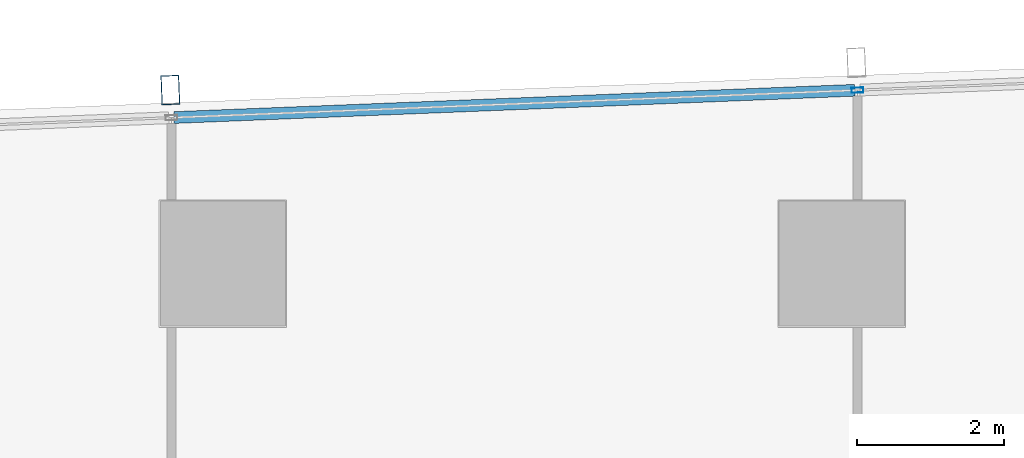
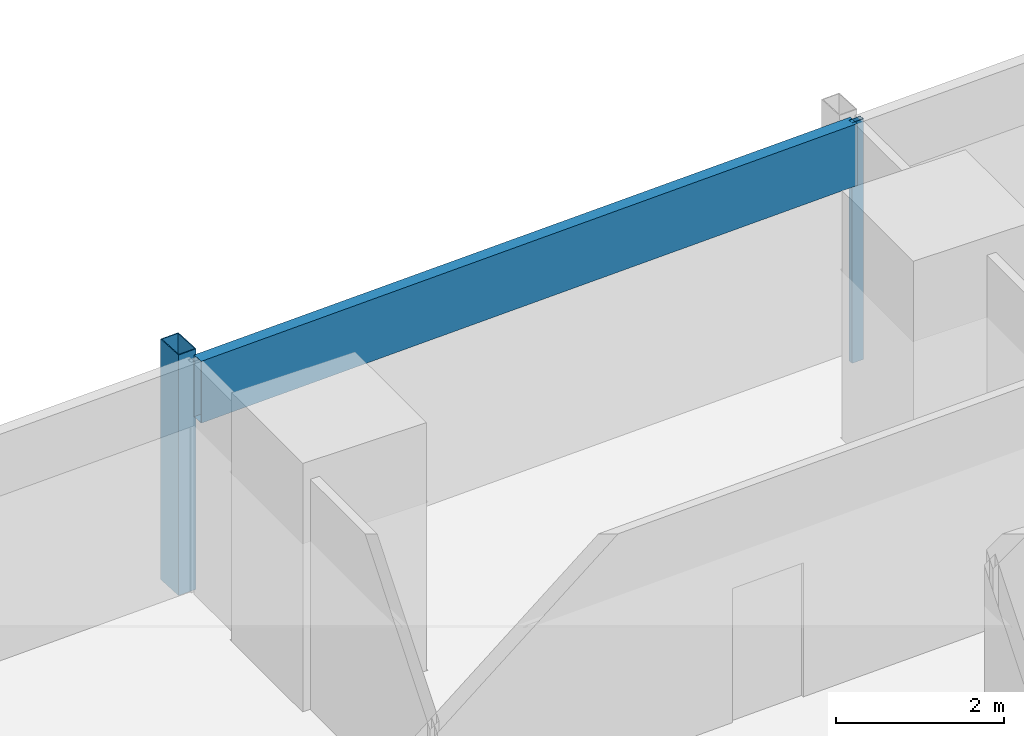
# One storey, part 16 of 40: 3 members, 1 element without a shape of its own.
"""IFC4 building model written with IfcOpenShell, lengths in metres."""

from ifc_helpers import new_model, si_unit, direction, frame, origin, origin_2d, place, context, subcontext, project, spatial, hollow_rectangle, extrude, material, material_profile, profile_set, type_object, element, aggregate, save


model = new_model("IFC4")

# Units and contexts
model_context = context("Model", 3, precision=1e-05, world=origin(), true_north=direction((0.0, 1.0)))
body_context = subcontext(model_context, "Body", "Model", "MODEL_VIEW")
ifc_project = project(units=[si_unit("LENGTHUNIT", "METRE"), si_unit("AREAUNIT", "SQUARE_METRE"), si_unit("VOLUMEUNIT", "CUBIC_METRE"), si_unit("PLANEANGLEUNIT", "RADIAN"), si_unit("MASSUNIT", "GRAM", prefix="KILO")], contexts=[model_context])

# Site, building, storey
site_placement = place(None, origin())
site = spatial("IfcSite", under=ifc_project, at=site_placement, CompositionType="ELEMENT")
building_placement = place(site_placement, origin())
building = spatial("IfcBuilding", under=site, at=building_placement, Name="Rekha Terrace Tower", CompositionType="ELEMENT")
storey_placement = place(building_placement, frame((0.0, 0.0, 140.300048828125)))
storey = spatial("IfcBuildingStorey", under=building, at=storey_placement, Name="L35", CompositionType="ELEMENT", Elevation=140.300048828125)

# Curtain wall, members
ifc_material_1 = material(Name="Aluminium framing", Category="aluminium")
curtain_wall_type = type_object("IfcCurtainWallType", Name="CW3 north unitised glazing", PredefinedType="USERDEFINED", material=ifc_material_1)
curtain_wall_placement = place(storey_placement, origin())
curtain_wall = element("IfcCurtainWall", 1, at=curtain_wall_placement, inside=storey, type_object=curtain_wall_type, Name="CW3 unitised curtain wall", ObjectType="UNITISED CURTAIN WALL", PredefinedType="USERDEFINED")
ifc_material_2 = material(Name="Steel S355 with fluorocarbon finish", Category="steel")
ifc_material_profile_1 = material_profile(ifc_material_2, hollow_rectangle(XDim=0.25, YDim=0.39990234375, WallThickness=0.012451171875, at=origin_2d()), Name="RHS400x250x12.5")
ifc_profile_set_1 = profile_set([ifc_material_profile_1], Name="Steel S355 with fluorocarbon finish")
member_type_1 = type_object("IfcMemberType", Name="BL1 facade blade RHS 400 x 250", PredefinedType="USERDEFINED", material=ifc_profile_set_1)
member_1_placement = place(storey_placement, frame((16.0869140625, 61.1552734375, 0.0), z_axis=(0.0, 0.0, 1.0), x_axis=(-0.999198382632, -0.040032388711, 0.0)))
member_1 = element("IfcMember", 2, at=member_1_placement, type_object=member_type_1, Name="Facade blade", ObjectType="FACADE BLADE", PredefinedType="USERDEFINED", context=body_context, shape_type="SweptSolid", body=[
    extrude(hollow_rectangle(XDim=0.25, YDim=0.39990234375, WallThickness=0.012451171875, at=origin_2d()), origin(), (0.0, 0.0, 1.0), 3.5),
])
ifc_material_3 = material(Name="Aluminium mullion section", Category="aluminium")
ifc_material_profile_2 = material_profile(ifc_material_3, hollow_rectangle(XDim=0.070068359375, YDim=0.159912109375, WallThickness=0.00390625, at=origin_2d()), Name="AL RHS 70x160")
ifc_profile_set_2 = profile_set([ifc_material_profile_2], Name="Aluminium mullion section")
member_type_2 = type_object("IfcMemberType", Name="CW3 mullion RHS 70 x 160", PredefinedType="MULLION", material=ifc_profile_set_2)
member_2_placement = place(storey_placement, frame((25.413818359375, 61.153564453125, 0.0), z_axis=(0.0, 0.0, 1.0), x_axis=(0.040031987119, -0.999198398721, 0.0)))
member_2 = element("IfcMember", 3, at=member_2_placement, type_object=member_type_2, Name="CW3 mullion 3", PredefinedType="MULLION", context=body_context, shape_type="SweptSolid", body=[
    extrude(hollow_rectangle(XDim=0.070068359375, YDim=0.159912109375, WallThickness=0.00390625, at=origin_2d()), origin(), (0.0, 0.0, 1.0), 3.5),
])
ifc_material_4 = material(Name="Insulated aluminium spandrel box", Category="aluminium")
ifc_material_profile_3 = material_profile(ifc_material_4, hollow_rectangle(XDim=0.159912109375, YDim=0.89990234375, WallThickness=0.0029296875, at=origin_2d()), Name="AL SPANDREL BOX 160x900")
ifc_profile_set_3 = profile_set([ifc_material_profile_3], Name="Insulated aluminium spandrel box")
member_type_3 = type_object("IfcMemberType", Name="CW3 spandrel transom 160 x 900", PredefinedType="USERDEFINED", material=ifc_profile_set_3)
member_3_placement = place(storey_placement, frame((25.37890625, 61.152099609375, 3.050048828125), z_axis=(-0.999199102424, -0.040014418831, 0.0), x_axis=(0.040014418831, -0.999199102424, 0.0)))
member_3 = element("IfcMember", 4, at=member_3_placement, type_object=member_type_3, Name="CW3 spandrel transom 3", ObjectType="TRANSOM", PredefinedType="USERDEFINED", context=body_context, shape_type="SweptSolid", body=[
    extrude(hollow_rectangle(XDim=0.159912109375, YDim=0.89990234375, WallThickness=0.0029296875, at=origin_2d()), origin(), (0.0, 0.0, 1.0), 9.24951171875),
])
aggregate(curtain_wall, [member_2, member_3, member_1])

save(model, "model.ifc")
